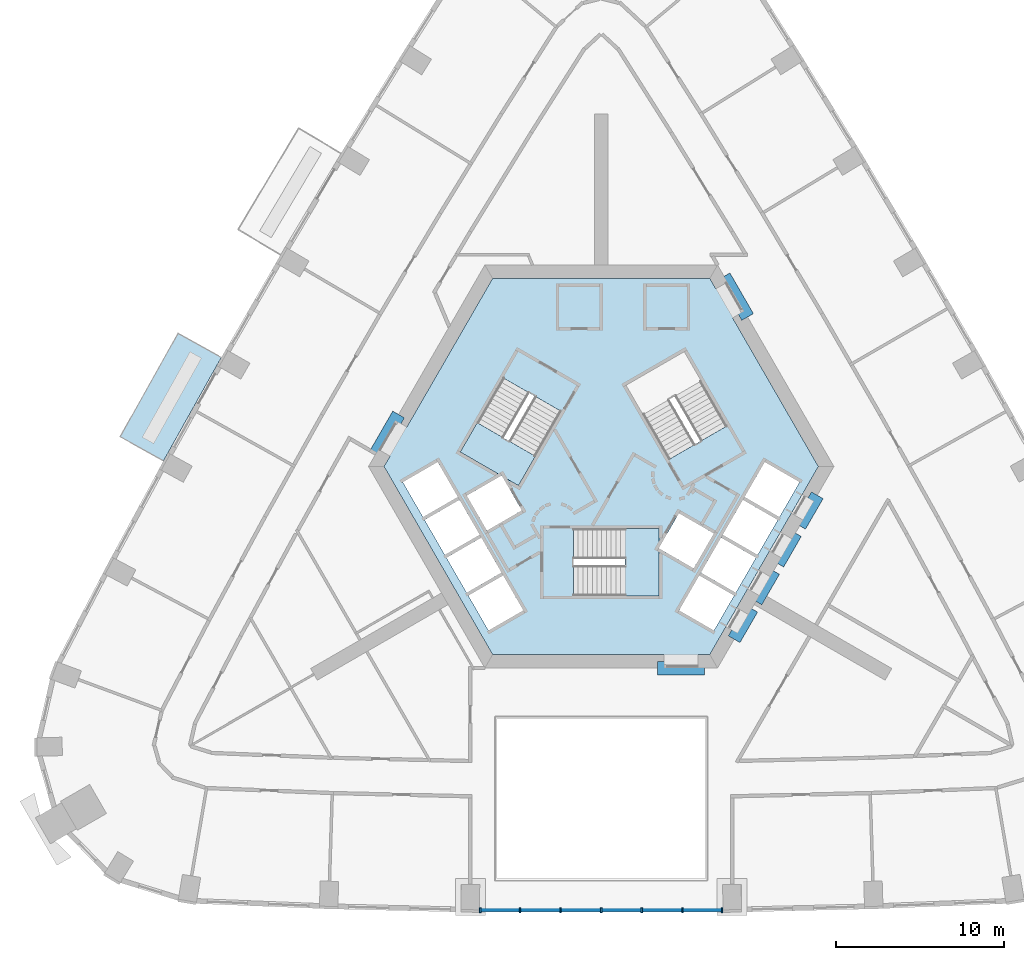
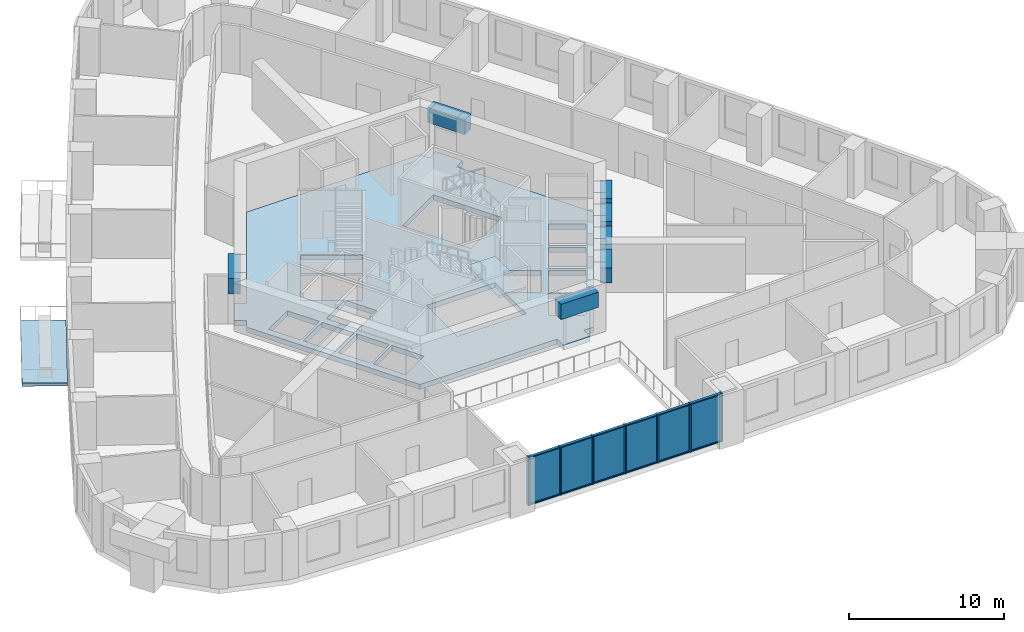
# One storey, part 2 of 14: 19 members, 7 beams, 6 plates, 4 slabs, 3 elements without a shape of their own.
"""IFC4 building model written with IfcOpenShell, lengths in metres."""

from ifc_helpers import new_model, si_unit, direction, frame, origin, origin_2d, place, context, subcontext, project, spatial, polyline, rectangle, outline, extrude, material, layer, layer_set, material_profile, profile_set, type_object, element, aggregate, save


model = new_model("IFC4")

# Units and contexts
model_context = context("Model", 3, precision=1e-05, world=origin(), true_north=direction((0.0, 1.0)))
body_context = subcontext(model_context, "Body", "Model", "MODEL_VIEW")
ifc_project = project(units=[si_unit("LENGTHUNIT", "METRE"), si_unit("AREAUNIT", "SQUARE_METRE"), si_unit("VOLUMEUNIT", "CUBIC_METRE"), si_unit("PLANEANGLEUNIT", "RADIAN"), si_unit("MASSUNIT", "GRAM", prefix="KILO")], contexts=[model_context])

# Site, building, storey
site_placement = place(None, origin())
site = spatial("IfcSite", under=ifc_project, at=site_placement, CompositionType="ELEMENT")
building_placement = place(site_placement, origin())
building = spatial("IfcBuilding", under=site, at=building_placement, Name="Entoto Arch Interchange Tower", CompositionType="ELEMENT")
storey_placement = place(building_placement, frame((0.0, 0.0, 146.60009765625)))
storey = spatial("IfcBuildingStorey", under=building, at=storey_placement, Name="L32", CompositionType="ELEMENT", Elevation=146.60009765625)

# Beams
ifc_material_1 = material(Name="Concrete C50/60", Category="concrete")
ifc_material_profile_1 = material_profile(ifc_material_1, rectangle(XDim=0.800048828125, YDim=1.199951171875, at=origin_2d()))
ifc_profile_set_1 = profile_set([ifc_material_profile_1], Name="Concrete C50/60")
beam_type = type_object("IfcBeamType", Name="Coupling beam RC 800x1200 C50/60", PredefinedType="BEAM", material=ifc_profile_set_1)
for number, where, z_axis, x_axis, name in (
    (1, (8.717041015625, 11.402099609375, 3.0), (-0.500200581029, 0.865909567298, 0.0), (-0.865909567298, -0.500200581029, 0.0), "Coupling beam NE L32"),
    (2, (-12.06689453125, 5.597900390625, 3.0), (-0.500200581029, -0.865909567298, 0.0), (0.865909567298, -0.500200581029, 0.0), "Coupling beam NW L32"),
):
    element("IfcBeam", number, at=place(storey_placement, frame(where, z_axis=z_axis, x_axis=x_axis)), inside=storey, type_object=beam_type, Name=name, PredefinedType="BEAM", context=body_context, shape_type="SweptSolid", body=[
        extrude(rectangle(XDim=0.800048828125, YDim=1.199951171875, at=origin_2d()), origin(), (0.0, 0.0, 1.0), 2.799072265625),
    ])
beam_1_placement = place(storey_placement, frame((3.35009765625, -9.5, 3.0), z_axis=(1.0, 0.0, 0.0), x_axis=(0.0, 1.0, 0.0)))
element("IfcBeam", 3, at=beam_1_placement, inside=storey, type_object=beam_type, Name="Coupling beam S L32", PredefinedType="BEAM", context=body_context, shape_type="SweptSolid", body=[
    extrude(rectangle(XDim=0.800048828125, YDim=1.199951171875, at=origin_2d()), origin(), (0.0, 0.0, 1.0), 2.7998046875),
])
for number, where, z_axis, x_axis, name in (
    (4, (7.9169921875, -7.785888671875, 3.0), (0.500178781653, 0.865922159541, 0.0), (-0.865922159541, 0.500178781653, 0.0), "Coupling beam SE L32"),
    (5, (9.217041015625, -5.534912109375, 3.0), (0.500178781653, 0.865922159541, 0.0), (-0.865922159541, 0.500178781653, 0.0), "Coupling beam SE L32"),
):
    element("IfcBeam", number, at=place(storey_placement, frame(where, z_axis=z_axis, x_axis=x_axis)), inside=storey, type_object=beam_type, Name=name, PredefinedType="BEAM", context=body_context, shape_type="SweptSolid", body=[
        extrude(rectangle(XDim=0.800048828125, YDim=1.199951171875, at=origin_2d()), origin(), (0.0, 0.0, 1.0), 2.099365234375),
    ])
beam_2_placement = place(storey_placement, frame((10.51708984375, -3.282958984375, 3.0), z_axis=(0.500091574638, 0.865972526687, 0.0), x_axis=(-0.865972526687, 0.500091574638, 0.0)))
element("IfcBeam", 6, at=beam_2_placement, inside=storey, type_object=beam_type, Name="Coupling beam SE L32", PredefinedType="BEAM", context=body_context, shape_type="SweptSolid", body=[
    extrude(rectangle(XDim=0.800048828125, YDim=1.199951171875, at=origin_2d()), origin(), (0.0, 0.0, 1.0), 2.09912109375),
])
beam_3_placement = place(storey_placement, frame((11.81689453125, -1.031982421875, 3.0), z_axis=(0.500178781653, 0.865922159541, 0.0), x_axis=(-0.865922159541, 0.500178781653, 0.0)))
element("IfcBeam", 7, at=beam_3_placement, inside=storey, type_object=beam_type, Name="Coupling beam SE L32", PredefinedType="BEAM", context=body_context, shape_type="SweptSolid", body=[
    extrude(rectangle(XDim=0.800048828125, YDim=1.199951171875, at=origin_2d()), origin(), (0.0, 0.0, 1.0), 2.099365234375),
])

# Curtain wall, members
ifc_material_2 = material(Name="Aluminium, anodised", Category="aluminium")
curtain_wall_type = type_object("IfcCurtainWallType", Name="CURTAIN WALL ATRIUM", PredefinedType="NOTDEFINED", material=ifc_material_2)
curtain_wall_placement = place(storey_placement, origin())
curtain_wall = element("IfcCurtainWall", 8, at=curtain_wall_placement, inside=storey, type_object=curtain_wall_type, Name="Atrium glazing S-03 L32", PredefinedType="NOTDEFINED")
ifc_material_profile_2 = material_profile(ifc_material_2, rectangle(XDim=0.300048828125, YDim=0.10009765625, at=origin_2d()))
ifc_profile_set_2 = profile_set([ifc_material_profile_2], Name="Aluminium, anodised")
member_type_1 = type_object("IfcMemberType", Name="MULLION ATRIUM 100x300", PredefinedType="MULLION", material=ifc_profile_set_2)
member_1_placement = place(storey_placement, frame((-7.198974609375, -23.916015625, 0.0), z_axis=(0.0, 0.0, 1.0), x_axis=(0.0, 1.0, 0.0)))
member_1 = element("IfcMember", 9, at=member_1_placement, type_object=member_type_1, Name="CWA mullion 1", PredefinedType="MULLION", context=body_context, shape_type="SweptSolid", body=[
    extrude(rectangle(XDim=0.300048828125, YDim=0.10009765625, at=origin_2d()), origin(), (0.0, 0.0, 1.0), 3.7998046875),
])
member_2_placement = place(storey_placement, frame((-4.832763671875, -23.916015625, 0.0), z_axis=(0.0, 0.0, 1.0), x_axis=(0.0, 1.0, 0.0)))
member_2 = element("IfcMember", 10, at=member_2_placement, type_object=member_type_1, Name="CWA mullion 2", PredefinedType="MULLION", context=body_context, shape_type="SweptSolid", body=[
    extrude(rectangle(XDim=0.300048828125, YDim=0.10009765625, at=origin_2d()), origin(), (0.0, 0.0, 1.0), 3.7998046875),
])
member_3_placement = place(storey_placement, frame((-2.416259765625, -23.916015625, 0.0), z_axis=(0.0, 0.0, 1.0), x_axis=(0.0, 1.0, 0.0)))
member_3 = element("IfcMember", 11, at=member_3_placement, type_object=member_type_1, Name="CWA mullion 3", PredefinedType="MULLION", context=body_context, shape_type="SweptSolid", body=[
    extrude(rectangle(XDim=0.300048828125, YDim=0.10009765625, at=origin_2d()), origin(), (0.0, 0.0, 1.0), 3.7998046875),
])
member_4_placement = place(storey_placement, frame((0.0, -23.916015625, 0.0), z_axis=(0.0, 0.0, 1.0), x_axis=(0.0, 1.0, 0.0)))
member_4 = element("IfcMember", 12, at=member_4_placement, type_object=member_type_1, Name="CWA mullion 4", PredefinedType="MULLION", context=body_context, shape_type="SweptSolid", body=[
    extrude(rectangle(XDim=0.300048828125, YDim=0.10009765625, at=origin_2d()), origin(), (0.0, 0.0, 1.0), 3.7998046875),
])
member_5_placement = place(storey_placement, frame((2.416259765625, -23.916015625, 0.0), z_axis=(0.0, 0.0, 1.0), x_axis=(0.0, 1.0, 0.0)))
member_5 = element("IfcMember", 13, at=member_5_placement, type_object=member_type_1, Name="CWA mullion 5", PredefinedType="MULLION", context=body_context, shape_type="SweptSolid", body=[
    extrude(rectangle(XDim=0.300048828125, YDim=0.10009765625, at=origin_2d()), origin(), (0.0, 0.0, 1.0), 3.7998046875),
])
member_6_placement = place(storey_placement, frame((4.832763671875, -23.916015625, 0.0), z_axis=(0.0, 0.0, 1.0), x_axis=(0.0, 1.0, 0.0)))
member_6 = element("IfcMember", 14, at=member_6_placement, type_object=member_type_1, Name="CWA mullion 6", PredefinedType="MULLION", context=body_context, shape_type="SweptSolid", body=[
    extrude(rectangle(XDim=0.300048828125, YDim=0.10009765625, at=origin_2d()), origin(), (0.0, 0.0, 1.0), 3.7998046875),
])
member_7_placement = place(storey_placement, frame((7.198974609375, -23.916015625, 0.0), z_axis=(0.0, 0.0, 1.0), x_axis=(0.0, 1.0, 0.0)))
member_7 = element("IfcMember", 15, at=member_7_placement, type_object=member_type_1, Name="CWA mullion 7", PredefinedType="MULLION", context=body_context, shape_type="SweptSolid", body=[
    extrude(rectangle(XDim=0.300048828125, YDim=0.10009765625, at=origin_2d()), origin(), (0.0, 0.0, 1.0), 3.7998046875),
])
ifc_material_profile_3 = material_profile(ifc_material_2, rectangle(XDim=0.199951171875, YDim=0.080078125, at=origin_2d()))
ifc_profile_set_3 = profile_set([ifc_material_profile_3], Name="Aluminium, anodised")
member_type_2 = type_object("IfcMemberType", Name="TRANSOM ATRIUM 80x200", PredefinedType="USERDEFINED", material=ifc_profile_set_3)
member_8_placement = place(storey_placement, frame((-7.14892578125, -23.916015625, 0.039794921875), z_axis=(1.0, 0.0, 0.0), x_axis=(0.0, 1.0, 0.0)))
member_8 = element("IfcMember", 16, at=member_8_placement, type_object=member_type_2, Name="CWA transom 1.1", ObjectType="TRANSOM", PredefinedType="USERDEFINED", context=body_context, shape_type="SweptSolid", body=[
    extrude(rectangle(XDim=0.199951171875, YDim=0.080078125, at=origin_2d()), origin(), (0.0, 0.0, 1.0), 2.266357421875),
])
member_9_placement = place(storey_placement, frame((-7.14892578125, -23.916015625, 3.760009765625), z_axis=(1.0, 0.0, 0.0), x_axis=(0.0, 1.0, 0.0)))
member_9 = element("IfcMember", 17, at=member_9_placement, type_object=member_type_2, Name="CWA transom 1.2", ObjectType="TRANSOM", PredefinedType="USERDEFINED", context=body_context, shape_type="SweptSolid", body=[
    extrude(rectangle(XDim=0.199951171875, YDim=0.080078125, at=origin_2d()), origin(), (0.0, 0.0, 1.0), 2.266357421875),
])
member_10_placement = place(storey_placement, frame((-4.78271484375, -23.916015625, 0.039794921875), z_axis=(1.0, 0.0, 0.0), x_axis=(0.0, 1.0, 0.0)))
member_10 = element("IfcMember", 18, at=member_10_placement, type_object=member_type_2, Name="CWA transom 2.1", ObjectType="TRANSOM", PredefinedType="USERDEFINED", context=body_context, shape_type="SweptSolid", body=[
    extrude(rectangle(XDim=0.199951171875, YDim=0.080078125, at=origin_2d()), origin(), (0.0, 0.0, 1.0), 2.31640625),
])
member_11_placement = place(storey_placement, frame((-4.78271484375, -23.916015625, 3.760009765625), z_axis=(1.0, 0.0, 0.0), x_axis=(0.0, 1.0, 0.0)))
member_11 = element("IfcMember", 19, at=member_11_placement, type_object=member_type_2, Name="CWA transom 2.2", ObjectType="TRANSOM", PredefinedType="USERDEFINED", context=body_context, shape_type="SweptSolid", body=[
    extrude(rectangle(XDim=0.199951171875, YDim=0.080078125, at=origin_2d()), origin(), (0.0, 0.0, 1.0), 2.31640625),
])
member_12_placement = place(storey_placement, frame((-2.366455078125, -23.916015625, 0.039794921875), z_axis=(1.0, 0.0, 0.0), x_axis=(0.0, 1.0, 0.0)))
member_12 = element("IfcMember", 20, at=member_12_placement, type_object=member_type_2, Name="CWA transom 3.1", ObjectType="TRANSOM", PredefinedType="USERDEFINED", context=body_context, shape_type="SweptSolid", body=[
    extrude(rectangle(XDim=0.199951171875, YDim=0.080078125, at=origin_2d()), origin(), (0.0, 0.0, 1.0), 2.31640625),
])
member_13_placement = place(storey_placement, frame((-2.366455078125, -23.916015625, 3.760009765625), z_axis=(1.0, 0.0, 0.0), x_axis=(0.0, 1.0, 0.0)))
member_13 = element("IfcMember", 21, at=member_13_placement, type_object=member_type_2, Name="CWA transom 3.2", ObjectType="TRANSOM", PredefinedType="USERDEFINED", context=body_context, shape_type="SweptSolid", body=[
    extrude(rectangle(XDim=0.199951171875, YDim=0.080078125, at=origin_2d()), origin(), (0.0, 0.0, 1.0), 2.31640625),
])
member_14_placement = place(storey_placement, frame((0.050048828125, -23.916015625, 0.039794921875), z_axis=(1.0, 0.0, 0.0), x_axis=(0.0, 1.0, 0.0)))
member_14 = element("IfcMember", 22, at=member_14_placement, type_object=member_type_2, Name="CWA transom 4.1", ObjectType="TRANSOM", PredefinedType="USERDEFINED", context=body_context, shape_type="SweptSolid", body=[
    extrude(rectangle(XDim=0.199951171875, YDim=0.080078125, at=origin_2d()), origin(), (0.0, 0.0, 1.0), 2.31640625),
])
member_15_placement = place(storey_placement, frame((0.050048828125, -23.916015625, 3.760009765625), z_axis=(1.0, 0.0, 0.0), x_axis=(0.0, 1.0, 0.0)))
member_15 = element("IfcMember", 23, at=member_15_placement, type_object=member_type_2, Name="CWA transom 4.2", ObjectType="TRANSOM", PredefinedType="USERDEFINED", context=body_context, shape_type="SweptSolid", body=[
    extrude(rectangle(XDim=0.199951171875, YDim=0.080078125, at=origin_2d()), origin(), (0.0, 0.0, 1.0), 2.31640625),
])
member_16_placement = place(storey_placement, frame((2.46630859375, -23.916015625, 0.039794921875), z_axis=(1.0, 0.0, 0.0), x_axis=(0.0, 1.0, 0.0)))
member_16 = element("IfcMember", 24, at=member_16_placement, type_object=member_type_2, Name="CWA transom 5.1", ObjectType="TRANSOM", PredefinedType="USERDEFINED", context=body_context, shape_type="SweptSolid", body=[
    extrude(rectangle(XDim=0.199951171875, YDim=0.080078125, at=origin_2d()), origin(), (0.0, 0.0, 1.0), 2.31640625),
])
member_17_placement = place(storey_placement, frame((2.46630859375, -23.916015625, 3.760009765625), z_axis=(1.0, 0.0, 0.0), x_axis=(0.0, 1.0, 0.0)))
member_17 = element("IfcMember", 25, at=member_17_placement, type_object=member_type_2, Name="CWA transom 5.2", ObjectType="TRANSOM", PredefinedType="USERDEFINED", context=body_context, shape_type="SweptSolid", body=[
    extrude(rectangle(XDim=0.199951171875, YDim=0.080078125, at=origin_2d()), origin(), (0.0, 0.0, 1.0), 2.31640625),
])
member_18_placement = place(storey_placement, frame((4.882568359375, -23.916015625, 0.039794921875), z_axis=(1.0, 0.0, 0.0), x_axis=(0.0, 1.0, 0.0)))
member_18 = element("IfcMember", 26, at=member_18_placement, type_object=member_type_2, Name="CWA transom 6.1", ObjectType="TRANSOM", PredefinedType="USERDEFINED", context=body_context, shape_type="SweptSolid", body=[
    extrude(rectangle(XDim=0.199951171875, YDim=0.080078125, at=origin_2d()), origin(), (0.0, 0.0, 1.0), 2.266357421875),
])
member_19_placement = place(storey_placement, frame((4.882568359375, -23.916015625, 3.760009765625), z_axis=(1.0, 0.0, 0.0), x_axis=(0.0, 1.0, 0.0)))
member_19 = element("IfcMember", 27, at=member_19_placement, type_object=member_type_2, Name="CWA transom 6.2", ObjectType="TRANSOM", PredefinedType="USERDEFINED", context=body_context, shape_type="SweptSolid", body=[
    extrude(rectangle(XDim=0.199951171875, YDim=0.080078125, at=origin_2d()), origin(), (0.0, 0.0, 1.0), 2.266357421875),
])

# Slabs
ifc_material_3 = material(Name="Board-marked precast concrete C50/60", Category="concrete")
ifc_layer_1 = layer(ifc_material_3, 0.25)
ifc_layer_set_1 = layer_set([ifc_layer_1], Name="Board-marked precast concrete C50/60")
slab_type_1 = type_object("IfcSlabType", Name="BALCONY DECK PRECAST 250", PredefinedType="FLOOR", material=ifc_layer_set_1)
slab_1_placement = place(storey_placement, frame((0.0, 0.0, -0.25)))
element("IfcSlab", 28, at=slab_1_placement, inside=storey, type_object=slab_type_1, Name="Planted balcony NW-05 L32", PredefinedType="FLOOR", context=body_context, shape_type="SweptSolid", body=[
    extrude(outline(polyline([(-22.623046875, 8.990966796875), (-26.06396484375, 2.8369140625), (-28.638916015625, 4.277099609375), (-25.197998046875, 10.430908203125), (-22.623046875, 8.990966796875)])), origin(), (0.0, 0.0, 1.0), 0.25),
])
ifc_material_4 = material(Name="Concrete C40/50", Category="concrete")
ifc_layer_2 = layer(ifc_material_4, 0.39990234375)
ifc_layer_set_2 = layer_set([ifc_layer_2], Name="Concrete C40/50")
slab_type_2 = type_object("IfcSlabType", Name="Core floor slab 400 C40/50", PredefinedType="FLOOR", material=ifc_layer_set_2)
slab_2_placement = place(storey_placement, frame((0.0, 0.0, -0.400146484375)))
element("IfcSlab", 29, at=slab_2_placement, inside=storey, type_object=slab_type_2, Name="Core floor slab L32", PredefinedType="FLOOR", context=body_context, shape_type="SweptSolid", body=[
    extrude(outline(polyline([(5.75, -9.5), (3.75, -9.5), (3.75, -8.699951171875), (-6.466064453125, -8.699951171875), (-12.93310546875, 2.5), (-12.574951171875, 3.1201171875), (-13.26708984375, 3.52001953125), (-12.26708984375, 5.251953125), (-11.574951171875, 4.85205078125), (-6.466064453125, 13.699951171875), (6.466064453125, 13.699951171875), (6.823974609375, 13.080078125), (7.51708984375, 13.47998046875), (8.51708984375, 11.748046875), (7.823974609375, 11.347900390625), (12.93310546875, 2.5), (6.466064453125, -8.699951171875), (5.75, -8.699951171875), (5.75, -9.5)]), holes=[polyline([(-5.837890625, -3.988037109375), (-7.916015625, -5.18798828125), (-6.716064453125, -7.26708984375), (-4.637939453125, -6.06689453125), (-5.837890625, -3.988037109375)]), polyline([(-5.93798828125, -3.81494140625), (-7.137939453125, -1.737060546875), (-9.216064453125, -2.93701171875), (-8.01611328125, -5.014892578125), (-5.93798828125, -3.81494140625)]), polyline([(5.5048828125, -3.56494140625), (6.705078125, -1.487060546875), (4.626953125, -0.287109375), (3.449951171875, -2.324951171875), (3.449951171875, -1.199951171875), (-1.64990234375, -1.199951171875), (-1.64990234375, -5.199951171875), (3.449951171875, -5.199951171875), (3.449951171875, -2.3779296875), (5.5048828125, -3.56494140625)]), polyline([(-8.43798828125, 0.514892578125), (-10.51611328125, -0.68505859375), (-9.31591796875, -2.762939453125), (-7.238037109375, -1.56298828125), (-8.43798828125, 0.514892578125)]), polyline([(-4.72705078125, -0.113037109375), (-5.904052734375, 1.925048828125), (-4.928955078125, 1.362060546875), (-2.37890625, 5.779052734375), (-5.843017578125, 7.779052734375), (-8.39306640625, 3.362060546875), (-5.949951171875, 1.951904296875), (-8.0048828125, 0.764892578125), (-6.804931640625, -1.31298828125), (-4.72705078125, -0.113037109375)]), polyline([(-8.5380859375, 0.68798828125), (-9.738037109375, 2.76708984375), (-11.81591796875, 1.56689453125), (-10.615966796875, -0.511962890625), (-8.5380859375, 0.68798828125)]), polyline([(5.837890625, -3.988037109375), (4.637939453125, -6.06689453125), (6.716064453125, -7.26708984375), (7.916015625, -5.18798828125), (5.837890625, -3.988037109375)]), polyline([(7.137939453125, -1.737060546875), (5.93798828125, -3.81494140625), (8.01611328125, -5.014892578125), (9.216064453125, -2.93701171875), (7.137939453125, -1.737060546875)]), polyline([(8.43798828125, 0.514892578125), (7.238037109375, -1.56298828125), (9.31591796875, -2.762939453125), (10.51611328125, -0.68505859375), (8.43798828125, 0.514892578125)]), polyline([(9.738037109375, 2.76708984375), (8.5380859375, 0.68798828125), (10.615966796875, -0.511962890625), (11.81591796875, 1.56689453125), (9.738037109375, 2.76708984375)]), polyline([(4.029052734375, 2.9208984375), (7.492919921875, 4.9208984375), (4.943115234375, 9.337890625), (1.47900390625, 7.337890625), (4.029052734375, 2.9208984375)])]), origin(), (0.0, 0.0, 1.0), 0.400146484375),
])

# Stair, slab
stair_type = type_object("IfcStairType", Name="EXIT STAIR RC 1800", PredefinedType="HALF_TURN_STAIR", material=ifc_material_4)
stair_1_placement = place(storey_placement, origin())
stair_1 = element("IfcStair", 30, at=stair_1_placement, inside=storey, type_object=stair_type, Name="L32 Exit stair S", PredefinedType="HALF_TURN_STAIR")
ifc_layer_3 = layer(ifc_material_4, 0.199951171875)
ifc_layer_set_3 = layer_set([ifc_layer_3], Name="Concrete C40/50")
slab_type_3 = type_object("IfcSlabType", Name="EXIT STAIR LANDING RC 200", PredefinedType="LANDING", material=ifc_layer_set_3)
slab_3_placement = place(storey_placement, frame((0.0, 0.0, 1.89990234375)))
slab_3 = element("IfcSlab", 31, at=slab_3_placement, type_object=slab_type_3, Name="ST-S landing 1", PredefinedType="LANDING", context=body_context, shape_type="SweptSolid", body=[
    extrude(outline(polyline([(1.429931640625, -5.199951171875), (3.449951171875, -5.199951171875), (3.449951171875, -1.199951171875), (1.429931640625, -1.199951171875), (1.429931640625, -5.199951171875)])), origin(), (0.0, 0.0, 1.0), 0.199951171875),
])
aggregate(stair_1, [slab_3])

stair_2_placement = place(storey_placement, origin())
stair_2 = element("IfcStair", 32, at=stair_2_placement, inside=storey, type_object=stair_type, Name="L32 Exit stair NW", PredefinedType="HALF_TURN_STAIR")
slab_4_placement = place(storey_placement, frame((0.0, 0.0, 1.89990234375)))
slab_4 = element("IfcSlab", 33, at=slab_4_placement, type_object=slab_type_3, Name="ST-NW landing 1", PredefinedType="LANDING", context=body_context, shape_type="SweptSolid", body=[
    extrude(outline(polyline([(-7.38330078125, 5.111572265625), (-8.393310546875, 3.3623046875), (-4.92919921875, 1.3623046875), (-3.919189453125, 3.111572265625), (-7.38330078125, 5.111572265625)])), origin(), (0.0, 0.0, 1.0), 0.199951171875),
])
aggregate(stair_2, [slab_4])

# Plate
ifc_material_5 = material(Name="Clear glass, low-e double glazed", Category="glass")
ifc_layer_4 = layer(ifc_material_5, 0.031982421875)
ifc_layer_set_4 = layer_set([ifc_layer_4], Name="Clear glass, low-e double glazed")
plate_type = type_object("IfcPlateType", Name="GLAZING PANEL ATRIUM 32", PredefinedType="CURTAIN_PANEL", material=ifc_layer_set_4)
plate_1_placement = place(storey_placement, frame((-6.015869140625, -23.916015625, 0.080078125), z_axis=(0.0, 0.0, 1.0), x_axis=(1.0, 0.0, 0.0)))
plate_1 = element("IfcPlate", 34, at=plate_1_placement, type_object=plate_type, Name="CWA panel 1.1", PredefinedType="CURTAIN_PANEL", context=body_context, shape_type="SweptSolid", body=[
    extrude(rectangle(XDim=2.266357421875, YDim=0.031982421875, at=origin_2d()), origin(), (0.0, 0.0, 1.0), 3.639892578125),
])

plate_2_placement = place(storey_placement, frame((-3.62451171875, -23.916015625, 0.080078125), z_axis=(0.0, 0.0, 1.0), x_axis=(1.0, 0.0, 0.0)))
plate_2 = element("IfcPlate", 35, at=plate_2_placement, type_object=plate_type, Name="CWA panel 2.1", PredefinedType="CURTAIN_PANEL", context=body_context, shape_type="SweptSolid", body=[
    extrude(rectangle(XDim=2.31640625, YDim=0.031982421875, at=origin_2d()), origin(), (0.0, 0.0, 1.0), 3.639892578125),
])

plate_3_placement = place(storey_placement, frame((-1.208251953125, -23.916015625, 0.080078125), z_axis=(0.0, 0.0, 1.0), x_axis=(1.0, 0.0, 0.0)))
plate_3 = element("IfcPlate", 36, at=plate_3_placement, type_object=plate_type, Name="CWA panel 3.1", PredefinedType="CURTAIN_PANEL", context=body_context, shape_type="SweptSolid", body=[
    extrude(rectangle(XDim=2.31640625, YDim=0.031982421875, at=origin_2d()), origin(), (0.0, 0.0, 1.0), 3.639892578125),
])

plate_4_placement = place(storey_placement, frame((1.208251953125, -23.916015625, 0.080078125), z_axis=(0.0, 0.0, 1.0), x_axis=(1.0, 0.0, 0.0)))
plate_4 = element("IfcPlate", 37, at=plate_4_placement, type_object=plate_type, Name="CWA panel 4.1", PredefinedType="CURTAIN_PANEL", context=body_context, shape_type="SweptSolid", body=[
    extrude(rectangle(XDim=2.31640625, YDim=0.031982421875, at=origin_2d()), origin(), (0.0, 0.0, 1.0), 3.639892578125),
])

plate_5_placement = place(storey_placement, frame((3.62451171875, -23.916015625, 0.080078125), z_axis=(0.0, 0.0, 1.0), x_axis=(1.0, 0.0, 0.0)))
plate_5 = element("IfcPlate", 38, at=plate_5_placement, type_object=plate_type, Name="CWA panel 5.1", PredefinedType="CURTAIN_PANEL", context=body_context, shape_type="SweptSolid", body=[
    extrude(rectangle(XDim=2.31640625, YDim=0.031982421875, at=origin_2d()), origin(), (0.0, 0.0, 1.0), 3.639892578125),
])

plate_6_placement = place(storey_placement, frame((6.015869140625, -23.916015625, 0.080078125), z_axis=(0.0, 0.0, 1.0), x_axis=(1.0, 0.0, 0.0)))
plate_6 = element("IfcPlate", 39, at=plate_6_placement, type_object=plate_type, Name="CWA panel 6.1", PredefinedType="CURTAIN_PANEL", context=body_context, shape_type="SweptSolid", body=[
    extrude(rectangle(XDim=2.266357421875, YDim=0.031982421875, at=origin_2d()), origin(), (0.0, 0.0, 1.0), 3.639892578125),
])

aggregate(curtain_wall, [member_1, member_2, member_3, member_4, member_5, member_6, member_7, member_8, member_9, plate_1, member_10, member_11, plate_2, member_12, member_13, plate_3, member_14, member_15, plate_4, member_16, member_17, plate_5, member_18, member_19, plate_6])

save(model, "model.ifc")
